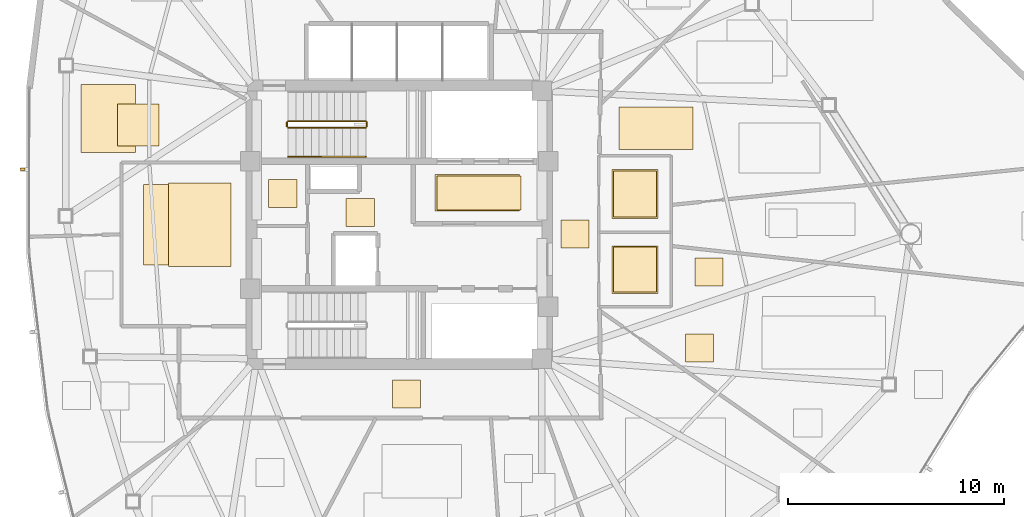
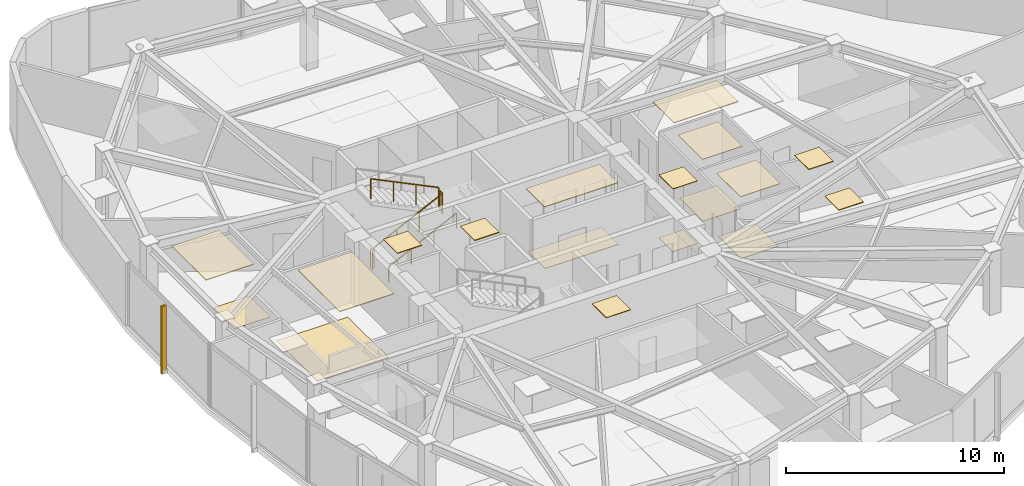
# One storey, part 16 of 18: 18 coverings, 5 railings, 1 shading device.
"""IFC4 building model written with IfcOpenShell, lengths in metres."""

from ifc_helpers import new_model, si_unit, direction, frame, origin, origin_2d, place, context, subcontext, project, spatial, polyline, rectangle, outline, extrude, source, transform, mapped, material, layer, layer_set, type_object, type_shapes, element, save


model = new_model("IFC4")

# Units and contexts
model_context = context("Model", 3, precision=1e-05, world=origin(), true_north=direction((0.0, 1.0)))
body_context = subcontext(model_context, "Body", "Model", "MODEL_VIEW")
ifc_project = project(units=[si_unit("LENGTHUNIT", "METRE"), si_unit("AREAUNIT", "SQUARE_METRE"), si_unit("VOLUMEUNIT", "CUBIC_METRE"), si_unit("PLANEANGLEUNIT", "RADIAN"), si_unit("MASSUNIT", "GRAM", prefix="KILO")], contexts=[model_context])

# Site, building, storey
site_placement = place(None, origin())
site = spatial("IfcSite", under=ifc_project, at=site_placement, CompositionType="ELEMENT")
building_placement = place(site_placement, origin())
building = spatial("IfcBuilding", under=site, at=building_placement, Name="Tavelor Broadcast Tower", CompositionType="ELEMENT")
storey_placement = place(building_placement, frame((0.0, 0.0, 173.35009765625)))
storey = spatial("IfcBuildingStorey", under=building, at=storey_placement, Name="L41", CompositionType="ELEMENT", Elevation=173.35009765625)

# Coverings
ifc_material_1 = material(Name="Copper-Bronze Anodized Aluminium", Category="aluminium")
ifc_layer_1 = layer(ifc_material_1, 0.044921875)
ifc_layer_set_1 = layer_set([ifc_layer_1], Name="Copper-Bronze Anodized Aluminium")
covering_type_1 = type_object("IfcCoveringType", Name="Anodised Bronze Linear Slatted Concourse Ceiling 45 mm", PredefinedType="CEILING", material=ifc_layer_set_1)
covering_1_placement = place(storey_placement, frame((0.0, 0.0, 3.5048828125)))
element("IfcCovering", 1, at=covering_1_placement, inside=storey, type_object=covering_type_1, Name="L41 Suspended Acoustic Ceiling 1686", PredefinedType="CEILING", context=body_context, shape_type="SweptSolid", body=[
    extrude(outline(polyline([(51.659912109375, 45.6318359375), (55.55712890625, 45.6318359375), (55.55712890625, 47.328125), (51.659912109375, 47.328125), (51.659912109375, 45.6318359375)])), origin(), (0.0, 0.0, 1.0), 0.044921875),
])
covering_2_placement = place(storey_placement, frame((0.0, 0.0, 3.5048828125)))
element("IfcCovering", 2, at=covering_2_placement, inside=storey, type_object=covering_type_1, Name="L41 Suspended Acoustic Ceiling 1687", PredefinedType="CEILING", context=body_context, shape_type="SweptSolid", body=[
    extrude(outline(polyline([(47.5400390625, 44.919921875), (48.840087890625, 44.919921875), (48.840087890625, 46.219970703125), (47.5400390625, 46.219970703125), (47.5400390625, 44.919921875)])), origin(), (0.0, 0.0, 1.0), 0.044921875),
])

# Railing
ifc_material_2 = material(Name="Steel S355", Category="steel")
railing_type_1 = type_object("IfcRailingType", Name="Continuous Brushed Stainless Handrail 900 mm", PredefinedType="HANDRAIL", material=ifc_material_2)
railing_1_placement = place(storey_placement, frame((44.85009765625, 48.14990234375, 0.1748046875)))
element("IfcRailing", 3, at=railing_1_placement, inside=storey, type_object=railing_type_1, Name="L41 ST1 stair handrail 1", PredefinedType="HANDRAIL", context=body_context, shape_type="SweptSolid", body=[
    extrude(rectangle(XDim=0.048095703125, YDim=0.048095703125, at=origin_2d()), frame((0.0, 0.0, 0.8759765625), z_axis=(0.899360859046, 0.0, 0.437207096483), x_axis=(0.0, 1.0, 0.0)), (0.0, 0.0, 1.0), 4.002685546875),
    extrude(rectangle(XDim=0.0419921875, YDim=0.0419921875, at=origin_2d()), origin(), (0.0, 0.0, 1.0), 0.851806640625),
    extrude(rectangle(XDim=0.0419921875, YDim=0.0419921875, at=origin_2d()), frame((1.199951171875, 0.0, 0.583251953125)), (0.0, 0.0, 1.0), 0.851806640625),
    extrude(rectangle(XDim=0.0419921875, YDim=0.0419921875, at=origin_2d()), frame((2.39990234375, 0.0, 1.166748046875)), (0.0, 0.0, 1.0), 0.851806640625),
    extrude(rectangle(XDim=0.0419921875, YDim=0.0419921875, at=origin_2d()), frame((3.599853515625, 0.0, 1.75)), (0.0, 0.0, 1.0), 0.851806640625),
])

# Coverings
ifc_material_3 = material(Name="Architectural Anodized Aluminium", Category="aluminium")
ifc_layer_2 = layer(ifc_material_3, 0.034912109375)
ifc_layer_set_2 = layer_set([ifc_layer_2], Name="Architectural Anodized Aluminium")
covering_type_2 = type_object("IfcCoveringType", Name="Demountable Metal Tile Corridor Ceiling 35 mm", PredefinedType="CEILING", material=ifc_layer_set_2)
covering_3_placement = place(storey_placement, frame((0.0, 0.0, 3.514892578125)))
element("IfcCovering", 4, at=covering_3_placement, inside=storey, type_object=covering_type_2, Name="L41 Suspended Acoustic Ceiling 1689", PredefinedType="CEILING", context=body_context, shape_type="SweptSolid", body=[
    extrude(outline(polyline([(57.489990234375, 43.925048828125), (58.7900390625, 43.925048828125), (58.7900390625, 45.22509765625), (57.489990234375, 45.22509765625), (57.489990234375, 43.925048828125)])), origin(), (0.0, 0.0, 1.0), 0.034912109375),
])
covering_4_placement = place(storey_placement, frame((0.0, 0.0, 3.514892578125)))
element("IfcCovering", 5, at=covering_4_placement, inside=storey, type_object=covering_type_2, Name="L41 Suspended Acoustic Ceiling 1690", PredefinedType="CEILING", context=body_context, shape_type="SweptSolid", body=[
    extrude(outline(polyline([(49.6748046875, 36.52490234375), (50.974609375, 36.52490234375), (50.974609375, 37.824951171875), (49.6748046875, 37.824951171875), (49.6748046875, 36.52490234375)])), origin(), (0.0, 0.0, 1.0), 0.034912109375),
])
ifc_material_4 = material(Name="Acoustic Nylon Carpet Tile")
ifc_layer_3 = layer(ifc_material_4, 0.02001953125)
ifc_layer_set_3 = layer_set([ifc_layer_3], Name="Acoustic Nylon Carpet Tile")
covering_type_3 = type_object("IfcCoveringType", Name="Heavy-Duty Acoustic Broadcast Carpet Tile 20 mm", PredefinedType="FLOORING", material=ifc_layer_set_3)
covering_5_placement = place(storey_placement, origin())
element("IfcCovering", 6, at=covering_5_placement, inside=storey, type_object=covering_type_3, Name="L41 Broadcast Floor Finish 0593", PredefinedType="FLOORING", context=body_context, shape_type="SweptSolid", body=[
    extrude(outline(polyline([(57.489990234375, 43.925048828125), (58.7900390625, 43.925048828125), (58.7900390625, 45.22509765625), (57.489990234375, 45.22509765625), (57.489990234375, 43.925048828125)])), origin(), (0.0, 0.0, 1.0), 0.02001953125),
])
covering_6_placement = place(storey_placement, origin())
element("IfcCovering", 7, at=covering_6_placement, inside=storey, type_object=covering_type_3, Name="L41 Broadcast Floor Finish 0594", PredefinedType="FLOORING", context=body_context, shape_type="SweptSolid", body=[
    extrude(outline(polyline([(38.15771484375, 43.12890625), (41.942138671875, 43.12890625), (41.942138671875, 46.87060546875), (38.15771484375, 46.87060546875), (38.15771484375, 43.12890625)])), origin(), (0.0, 0.0, 1.0), 0.02001953125),
])
covering_7_placement = place(storey_placement, origin())
element("IfcCovering", 8, at=covering_7_placement, inside=storey, type_object=covering_type_3, Name="L41 Broadcast Floor Finish 0601", PredefinedType="FLOORING", context=body_context, shape_type="SweptSolid", body=[
    extrude(outline(polyline([(36.96044921875, 48.655029296875), (38.8662109375, 48.655029296875), (38.8662109375, 50.59619140625), (36.96044921875, 50.59619140625), (36.96044921875, 48.655029296875)])), origin(), (0.0, 0.0, 1.0), 0.02001953125),
])
ifc_material_5 = material(Name="Honed Natural Limestone Tile", Category="masonry")
ifc_layer_4 = layer(ifc_material_5, 0.030029296875)
ifc_layer_set_4 = layer_set([ifc_layer_4], Name="Honed Natural Limestone Tile")
covering_type_4 = type_object("IfcCoveringType", Name="Honed Jerusalem Limestone Concourse Flooring 30 mm", PredefinedType="FLOORING", material=ifc_layer_set_4)
covering_8_placement = place(storey_placement, origin())
element("IfcCovering", 9, at=covering_8_placement, inside=storey, type_object=covering_type_4, Name="L41 Broadcast Floor Finish 0592", PredefinedType="FLOORING", context=body_context, shape_type="SweptSolid", body=[
    extrude(outline(polyline([(51.7373046875, 45.689453125), (55.62255859375, 45.689453125), (55.62255859375, 47.2705078125), (51.7373046875, 47.2705078125), (51.7373046875, 45.689453125)])), origin(), (0.0, 0.0, 1.0), 0.02978515625),
])
ifc_layer_5 = layer(ifc_material_3, 0.030029296875)
ifc_layer_set_5 = layer_set([ifc_layer_5], Name="Architectural Anodized Aluminium")
covering_type_5 = type_object("IfcCoveringType", Name="Moisture-Resistant Washroom Ceiling 30 mm", PredefinedType="CEILING", material=ifc_layer_set_5)
covering_9_placement = place(storey_placement, frame((0.0, 0.0, 3.52001953125)))
element("IfcCovering", 10, at=covering_9_placement, inside=storey, type_object=covering_type_5, Name="L41 Suspended Acoustic Ceiling 1692", PredefinedType="CEILING", context=body_context, shape_type="SweptSolid", body=[
    extrude(outline(polyline([(59.85302734375, 41.828369140625), (61.967041015625, 41.828369140625), (61.967041015625, 44.021484375), (59.85302734375, 44.021484375), (59.85302734375, 41.828369140625)])), origin(), (0.0, 0.0, 1.0), 0.02978515625),
])
covering_10_placement = place(storey_placement, frame((0.0, 0.0, 3.52001953125)))
element("IfcCovering", 11, at=covering_10_placement, inside=storey, type_object=covering_type_5, Name="L41 Suspended Acoustic Ceiling 1693", PredefinedType="CEILING", context=body_context, shape_type="SweptSolid", body=[
    extrude(outline(polyline([(59.85302734375, 45.29248046875), (61.967041015625, 45.29248046875), (61.967041015625, 47.5576171875), (59.85302734375, 47.5576171875), (59.85302734375, 45.29248046875)])), origin(), (0.0, 0.0, 1.0), 0.02978515625),
])
ifc_material_6 = material(Name="Slip-Resistant Porcelain Tile")
ifc_layer_6 = layer(ifc_material_6, 0.02490234375)
ifc_layer_set_6 = layer_set([ifc_layer_6], Name="Slip-Resistant Porcelain Tile")
covering_type_6 = type_object("IfcCoveringType", Name="Slip-Resistant Porcelain Wet-Area Floor Tile 25 mm", PredefinedType="FLOORING", material=ifc_layer_set_6)
covering_11_placement = place(storey_placement, origin())
element("IfcCovering", 12, at=covering_11_placement, inside=storey, type_object=covering_type_6, Name="L41 Broadcast Floor Finish 0595", PredefinedType="FLOORING", context=body_context, shape_type="SweptSolid", body=[
    extrude(outline(polyline([(59.91064453125, 41.885986328125), (61.909423828125, 41.885986328125), (61.909423828125, 43.964111328125), (59.91064453125, 43.964111328125), (59.91064453125, 41.885986328125)])), origin(), (0.0, 0.0, 1.0), 0.02490234375),
])
covering_12_placement = place(storey_placement, origin())
element("IfcCovering", 13, at=covering_12_placement, inside=storey, type_object=covering_type_6, Name="L41 Broadcast Floor Finish 0596", PredefinedType="FLOORING", context=body_context, shape_type="SweptSolid", body=[
    extrude(outline(polyline([(59.91064453125, 45.35009765625), (61.909423828125, 45.35009765625), (61.909423828125, 47.5), (59.91064453125, 47.5), (59.91064453125, 45.35009765625)])), origin(), (0.0, 0.0, 1.0), 0.02490234375),
])

# Railings
railing_type_2 = type_object("IfcRailingType", Name="Stairwell Steel Safety Guardrail 1150 mm", PredefinedType="GUARDRAIL", material=ifc_material_2)
railing_2_placement = place(storey_placement, frame((44.85009765625, 49.5, 0.1748046875)))
element("IfcRailing", 14, at=railing_2_placement, inside=storey, type_object=railing_type_2, Name="L41 ST1 stair guard 1", PredefinedType="GUARDRAIL", context=body_context, shape_type="SweptSolid", body=[
    extrude(rectangle(XDim=0.048095703125, YDim=0.048095703125, at=origin_2d()), frame((0.0, 0.0, 1.1259765625), z_axis=(0.899360859046, 0.0, 0.437207096483), x_axis=(0.0, 1.0, 0.0)), (0.0, 0.0, 1.0), 4.002685546875),
    extrude(rectangle(XDim=0.0419921875, YDim=0.0419921875, at=origin_2d()), origin(), (0.0, 0.0, 1.0), 1.101806640625),
    extrude(rectangle(XDim=0.0419921875, YDim=0.0419921875, at=origin_2d()), frame((1.199951171875, 0.0, 0.583251953125)), (0.0, 0.0, 1.0), 1.101806640625),
    extrude(rectangle(XDim=0.0419921875, YDim=0.0419921875, at=origin_2d()), frame((2.39990234375, 0.0, 1.166748046875)), (0.0, 0.0, 1.0), 1.101806640625),
    extrude(rectangle(XDim=0.0419921875, YDim=0.0419921875, at=origin_2d()), frame((3.599853515625, 0.0, 1.75)), (0.0, 0.0, 1.0), 1.101806640625),
])
railing_3_placement = place(storey_placement, frame((48.5, 49.550048828125, 1.9248046875)))
element("IfcRailing", 15, at=railing_3_placement, inside=storey, type_object=railing_type_2, Name="L41 ST1 stair guard 2", PredefinedType="GUARDRAIL", context=body_context, shape_type="SweptSolid", body=[
    extrude(rectangle(XDim=0.048095703125, YDim=0.048095703125, at=origin_2d()), frame((0.0, 0.0, 1.1259765625), z_axis=(0.0, 1.0, 0.0), x_axis=(-1.0, 0.0, 0.0)), (0.0, 0.0, 1.0), 0.199951171875),
    extrude(rectangle(XDim=0.0419921875, YDim=0.0419921875, at=origin_2d()), origin(), (0.0, 0.0, 1.0), 1.101806640625),
    extrude(rectangle(XDim=0.0419921875, YDim=0.0419921875, at=origin_2d()), frame((0.0, 0.199951171875, 0.0)), (0.0, 0.0, 1.0), 1.101806640625),
])
railing_4_placement = place(storey_placement, frame((48.449951171875, 49.800048828125, 2.099853515625)))
element("IfcRailing", 16, at=railing_4_placement, inside=storey, type_object=railing_type_2, Name="L41 ST1 stair guard 3", PredefinedType="GUARDRAIL", context=body_context, shape_type="SweptSolid", body=[
    extrude(rectangle(XDim=0.048095703125, YDim=0.048095703125, at=origin_2d()), frame((0.0, 0.0, 1.1259765625), z_axis=(-0.899360859046, 0.0, 0.437207096483), x_axis=(0.0, -1.0, 0.0)), (0.0, 0.0, 1.0), 4.002685546875),
    extrude(rectangle(XDim=0.0419921875, YDim=0.0419921875, at=origin_2d()), origin(), (0.0, 0.0, 1.0), 1.101806640625),
    extrude(rectangle(XDim=0.0419921875, YDim=0.0419921875, at=origin_2d()), frame((-1.199951171875, 0.0, 0.583251953125)), (0.0, 0.0, 1.0), 1.101806640625),
    extrude(rectangle(XDim=0.0419921875, YDim=0.0419921875, at=origin_2d()), frame((-2.39990234375, 0.0, 1.166748046875)), (0.0, 0.0, 1.0), 1.101806640625),
    extrude(rectangle(XDim=0.0419921875, YDim=0.0419921875, at=origin_2d()), frame((-3.599853515625, 0.0, 1.75)), (0.0, 0.0, 1.0), 1.101806640625),
])
railing_5_placement = place(storey_placement, frame((44.800048828125, 49.550048828125, 0.0)))
element("IfcRailing", 17, at=railing_5_placement, inside=storey, type_object=railing_type_2, Name="L41 ST1 stair guard 4", PredefinedType="GUARDRAIL", context=body_context, shape_type="SweptSolid", body=[
    extrude(rectangle(XDim=0.048095703125, YDim=0.048095703125, at=origin_2d()), frame((0.0, 0.0, 1.1259765625), z_axis=(0.0, 1.0, 0.0), x_axis=(-1.0, 0.0, 0.0)), (0.0, 0.0, 1.0), 0.199951171875),
    extrude(rectangle(XDim=0.0419921875, YDim=0.0419921875, at=origin_2d()), origin(), (0.0, 0.0, 1.0), 1.101806640625),
    extrude(rectangle(XDim=0.0419921875, YDim=0.0419921875, at=origin_2d()), frame((0.0, 0.199951171875, 0.0)), (0.0, 0.0, 1.0), 1.101806640625),
])

# Coverings
ifc_material_7 = material(Name="Acoustic Mineral Fibre Tile")
ifc_layer_7 = layer(ifc_material_7, 0.0400390625)
ifc_layer_set_7 = layer_set([ifc_layer_7], Name="Acoustic Mineral Fibre Tile")
covering_type_7 = type_object("IfcCoveringType", Name="Suspended Acoustic Mineral-Fibre Office Ceiling 40 mm", PredefinedType="CEILING", material=ifc_layer_set_7)
covering_13_placement = place(storey_placement, frame((0.0, 0.0, 3.510009765625)))
element("IfcCovering", 18, at=covering_13_placement, inside=storey, type_object=covering_type_7, Name="L41 Suspended Acoustic Ceiling 1688", PredefinedType="CEILING", context=body_context, shape_type="SweptSolid", body=[
    extrude(outline(polyline([(43.951416015625, 45.794921875), (45.25146484375, 45.794921875), (45.25146484375, 47.094970703125), (43.951416015625, 47.094970703125), (43.951416015625, 45.794921875)])), origin(), (0.0, 0.0, 1.0), 0.039794921875),
])
covering_14_placement = place(storey_placement, frame((0.0, 0.0, 3.510009765625)))
element("IfcCovering", 19, at=covering_14_placement, inside=storey, type_object=covering_type_7, Name="L41 Suspended Acoustic Ceiling 1691", PredefinedType="CEILING", context=body_context, shape_type="SweptSolid", body=[
    extrude(outline(polyline([(39.321533203125, 43.0712890625), (42.198486328125, 43.0712890625), (42.198486328125, 46.927978515625), (39.321533203125, 46.927978515625), (39.321533203125, 43.0712890625)])), origin(), (0.0, 0.0, 1.0), 0.039794921875),
])
covering_15_placement = place(storey_placement, frame((0.0, 0.0, 3.510009765625)))
element("IfcCovering", 20, at=covering_15_placement, inside=storey, type_object=covering_type_7, Name="L41 Suspended Acoustic Ceiling 1707", PredefinedType="CEILING", context=body_context, shape_type="SweptSolid", body=[
    extrude(outline(polyline([(35.262451171875, 48.340087890625), (37.79638671875, 48.340087890625), (37.79638671875, 51.48828125), (35.262451171875, 51.48828125), (35.262451171875, 48.340087890625)])), origin(), (0.0, 0.0, 1.0), 0.039794921875),
])
covering_16_placement = place(storey_placement, frame((0.0, 0.0, 3.510009765625)))
element("IfcCovering", 21, at=covering_16_placement, inside=storey, type_object=covering_type_7, Name="L41 Suspended Acoustic Ceiling 1717", PredefinedType="CEILING", context=body_context, shape_type="SweptSolid", body=[
    extrude(outline(polyline([(60.178955078125, 48.490478515625), (63.59228515625, 48.490478515625), (63.59228515625, 50.44580078125), (60.178955078125, 50.44580078125), (60.178955078125, 48.490478515625)])), origin(), (0.0, 0.0, 1.0), 0.039794921875),
])
covering_17_placement = place(storey_placement, frame((0.0, 0.0, 3.510009765625)))
element("IfcCovering", 22, at=covering_17_placement, inside=storey, type_object=covering_type_7, Name="L41 Suspended Acoustic Ceiling 1725", PredefinedType="CEILING", context=body_context, shape_type="SweptSolid", body=[
    extrude(outline(polyline([(63.24658203125, 38.648193359375), (64.546630859375, 38.648193359375), (64.546630859375, 39.9482421875), (63.24658203125, 39.9482421875), (63.24658203125, 38.648193359375)])), origin(), (0.0, 0.0, 1.0), 0.039794921875),
])
covering_18_placement = place(storey_placement, frame((0.0, 0.0, 3.510009765625)))
element("IfcCovering", 23, at=covering_18_placement, inside=storey, type_object=covering_type_7, Name="L41 Suspended Acoustic Ceiling 1726", PredefinedType="CEILING", context=body_context, shape_type="SweptSolid", body=[
    extrude(outline(polyline([(63.677001953125, 42.16455078125), (64.976806640625, 42.16455078125), (64.976806640625, 43.464599609375), (63.677001953125, 43.464599609375), (63.677001953125, 42.16455078125)])), origin(), (0.0, 0.0, 1.0), 0.039794921875),
])

# Shading device
ifc_material_8 = material(Name="Kiln-Fired Glazed Terracotta", Category="masonry")
shading_device_type = type_object("IfcShadingDeviceType", Name="Extruded Terracotta Baguette Sun-Screen 110x240", PredefinedType="JALOUSIE", material=ifc_material_8)
shared_shape = source(origin(), body_context, "Body", "SweptSolid", [
    extrude(rectangle(XDim=0.110107421875, YDim=0.239990234375, at=origin_2d()), origin(), (0.0, 0.0, 1.0), 3.7900390625),
])
type_shapes(shading_device_type, [shared_shape])
shading_device_placement = place(storey_placement, frame((32.560302734375, 47.565185546875, -0.260009765625), z_axis=(0.0, 0.0, 1.0), x_axis=(-0.003141587486, -0.999995065202, 0.0)))
element("IfcShadingDevice", 24, at=shading_device_placement, inside=storey, type_object=shading_device_type, Name="L41 Terracotta Baguette Fin 421", PredefinedType="JALOUSIE", context=body_context, shape_type="MappedRepresentation", body=[
    mapped(shared_shape, transform((0.0, 0.0, 0.0), scale=1.0)),
])

save(model, "model.ifc")
